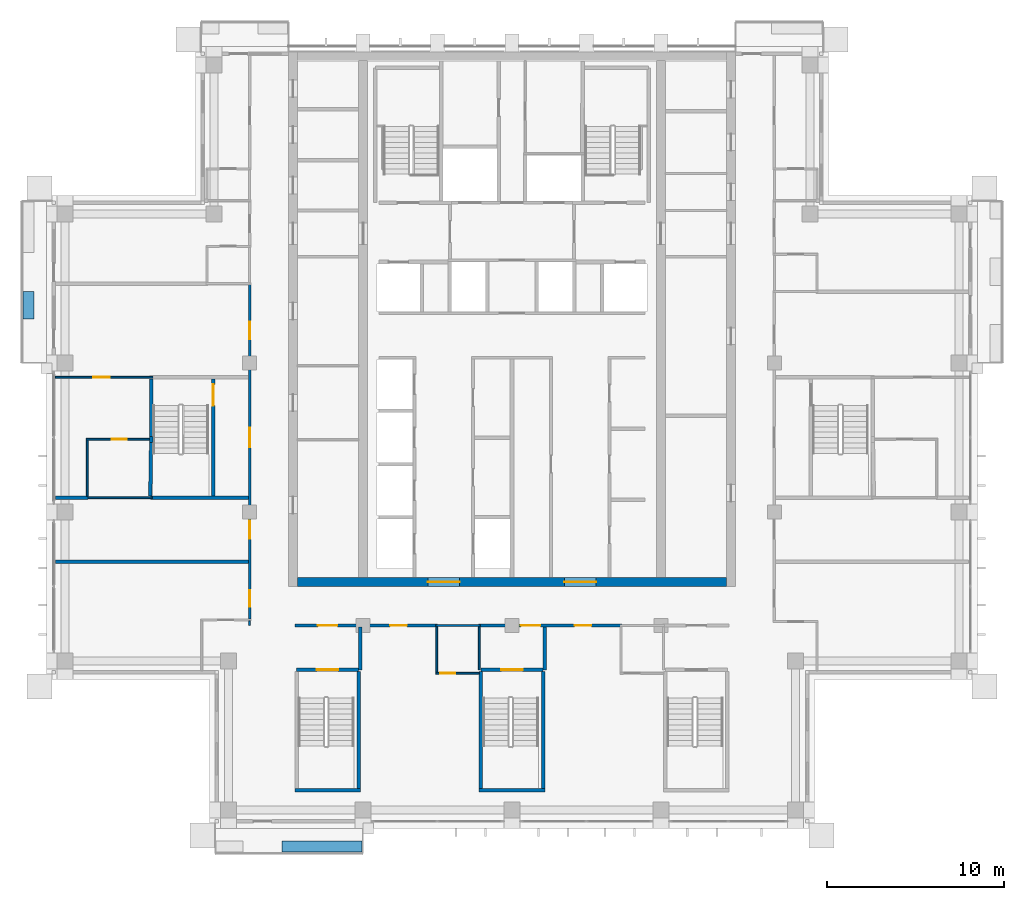
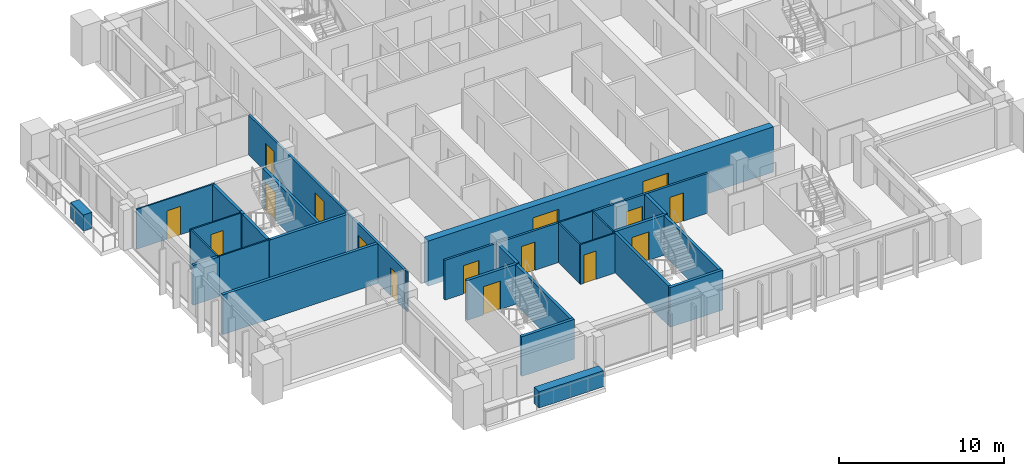
# One storey, part 8 of 18: 31 walls, 16 doors, 16 openings.
"""IFC4 building model written with IfcOpenShell, lengths in metres."""

from ifc_helpers import new_model, si_unit, direction, frame, frame_2d, origin, place, context, subcontext, project, spatial, rectangle, extrude, material, layer, layer_set, type_object, element, fill, save


model = new_model("IFC4")

# Units and contexts
model_context = context("Model", 3, precision=1e-05, world=origin(), true_north=direction((0.0, 1.0)))
body_context = subcontext(model_context, "Body", "Model", "MODEL_VIEW")
ifc_project = project(units=[si_unit("LENGTHUNIT", "METRE"), si_unit("AREAUNIT", "SQUARE_METRE"), si_unit("VOLUMEUNIT", "CUBIC_METRE"), si_unit("PLANEANGLEUNIT", "RADIAN"), si_unit("MASSUNIT", "GRAM", prefix="KILO")], contexts=[model_context])

# Site, building, storey
site_placement = place(None, origin())
site = spatial("IfcSite", under=ifc_project, at=site_placement, CompositionType="ELEMENT")
building_placement = place(site_placement, origin())
building = spatial("IfcBuilding", under=site, at=building_placement, Name="Vermilion Ogive Tower", CompositionType="ELEMENT")
storey_placement = place(building_placement, frame((0.0, 0.0, 261.39990234375)))
storey = spatial("IfcBuildingStorey", under=building, at=storey_placement, Name="L69", CompositionType="ELEMENT", Elevation=261.39990234375)

# Wall, openings, doors
ifc_material_1 = material(Name="Concrete B60", Category="concrete")
ifc_layer_1 = layer(ifc_material_1, 0.5)
ifc_layer_set_1 = layer_set([ifc_layer_1], Name="Core wall 500 B60")
wall_type_1 = type_object("IfcWallType", Name="Core wall 500 B60", PredefinedType="SHEAR", material=ifc_layer_set_1)
wall_1_placement = place(storey_placement, frame((-12.10009765625, -8.14990234375, -0.39990234375), z_axis=(0.0, 0.0, 1.0), x_axis=(1.0, 0.0, 0.0)))
wall_1 = element("IfcWall", 1, at=wall_1_placement, inside=storey, type_object=wall_type_1, Name="L69-CORE-S", PredefinedType="SHEAR", context=body_context, shape_type="SweptSolid", body=[
    extrude(rectangle(XDim=24.2001953125, YDim=0.5, at=frame_2d((12.10009765625, 0.0))), origin(), (0.0, 0.0, 1.0), 3.35009765625),
])
opening_1_placement = place(wall_1_placement, frame((7.35009765625, 0.0, 0.39990234375)))
opening_1 = element("IfcOpeningElement", 2, at=opening_1_placement, cuts=wall_1, Name="Opening DAH057", PredefinedType="OPENING", context=body_context, shape_type="SweptSolid", body=[
    extrude(rectangle(XDim=1.800048828125, YDim=2.10009765625, at=frame_2d((0.89990234375, 1.050048828125))), frame((0.0, 0.260009765625, 0.0), z_axis=(0.0, -1.0, 0.0), x_axis=(1.0, 0.0, 0.0)), (0.0, 0.0, 1.0), 0.52001953125),
])
opening_2_placement = place(wall_1_placement, frame((15.050048828125, 0.0, 0.39990234375)))
opening_2 = element("IfcOpeningElement", 3, at=opening_2_placement, cuts=wall_1, Name="Opening DAH058", PredefinedType="OPENING", context=body_context, shape_type="SweptSolid", body=[
    extrude(rectangle(XDim=1.800048828125, YDim=2.10009765625, at=frame_2d((0.89990234375, 1.050048828125))), frame((0.0, 0.260009765625, 0.0), z_axis=(0.0, -1.0, 0.0), x_axis=(1.0, 0.0, 0.0)), (0.0, 0.0, 1.0), 0.52001953125),
])
ifc_material_2 = material(Name="Timber door leaf", Category="wood")
door_type_1 = type_object("IfcDoorType", Name="Core entry door 1800 x 2100 FD60S", OperationType="DOUBLE_DOOR_SINGLE_SWING", PredefinedType="DOOR", material=ifc_material_2)
door_1_placement = place(opening_1_placement, origin())
door_1 = element("IfcDoor", 4, at=door_1_placement, inside=storey, type_object=door_type_1, Name="L69-CK-XD1", OperationType="SINGLE_SWING_LEFT", OverallHeight=2.10009765625, OverallWidth=1.800048828125, PredefinedType="DOOR", context=body_context, shape_type="SweptSolid", body=[
    extrude(rectangle(XDim=1.800048828125, YDim=2.10009765625, at=frame_2d((0.89990234375, 1.050048828125))), frame((0.0, 0.02490234375, 0.0), z_axis=(0.0, -1.0, 0.0), x_axis=(1.0, 0.0, 0.0)), (0.0, 0.0, 1.0), 0.050048828125),
])
fill(opening_1, door_1)
door_2_placement = place(opening_2_placement, origin())
door_2 = element("IfcDoor", 5, at=door_2_placement, inside=storey, type_object=door_type_1, Name="L69-CK-XD2", OperationType="SINGLE_SWING_LEFT", OverallHeight=2.10009765625, OverallWidth=1.800048828125, PredefinedType="DOOR", context=body_context, shape_type="SweptSolid", body=[
    extrude(rectangle(XDim=1.800048828125, YDim=2.10009765625, at=frame_2d((0.89990234375, 1.050048828125))), frame((0.0, 0.02490234375, 0.0), z_axis=(0.0, -1.0, 0.0), x_axis=(1.0, 0.0, 0.0)), (0.0, 0.0, 1.0), 0.050048828125),
])
fill(opening_2, door_2)

# Wall, opening, door
ifc_material_3 = material(Name="Gypsum board partition on steel studs", Category="steel")
ifc_layer_2 = layer(ifc_material_3, 0.10009765625)
ifc_layer_set_2 = layer_set([ifc_layer_2], Name="Partition 100 bath")
wall_type_2 = type_object("IfcWallType", Name="Partition 100 bath", PredefinedType="PARTITIONING", material=ifc_layer_set_2)
wall_2_placement = place(storey_placement, frame((-4.300048828125, -13.300048828125, 0.0), z_axis=(0.0, 0.0, 1.0), x_axis=(1.0, 0.0, 0.0)))
wall_2 = element("IfcWall", 6, at=wall_2_placement, inside=storey, type_object=wall_type_2, Name="L69-W-W001", PredefinedType="PARTITIONING", context=body_context, shape_type="SweptSolid", body=[
    extrude(rectangle(XDim=2.449951171875, YDim=0.10009765625, at=frame_2d((1.22509765625, 0.0))), origin(), (0.0, 0.0, 1.0), 2.9501953125),
])
opening_3_placement = place(wall_2_placement, frame((0.25, 0.0, 0.0)))
opening_3 = element("IfcOpeningElement", 7, at=opening_3_placement, cuts=wall_2, Name="Opening D5G6011", PredefinedType="OPENING", context=body_context, shape_type="SweptSolid", body=[
    extrude(rectangle(XDim=0.85009765625, YDim=2.10009765625, at=frame_2d((0.425048828125, 1.050048828125))), frame((0.0, 0.06005859375, 0.0), z_axis=(0.0, -1.0, 0.0), x_axis=(1.0, 0.0, 0.0)), (0.0, 0.0, 1.0), 0.1201171875),
])
ifc_material_4 = material(Name="Timber door leaf", Category="wood")
door_type_2 = type_object("IfcDoorType", Name="Bath door 850 x 2100 FD30", OperationType="SINGLE_SWING_LEFT", PredefinedType="DOOR", material=ifc_material_4)
door_3_placement = place(opening_3_placement, origin())
door_3 = element("IfcDoor", 8, at=door_3_placement, inside=storey, type_object=door_type_2, Name="L69-D-D011", OperationType="SINGLE_SWING_LEFT", OverallHeight=2.10009765625, OverallWidth=0.85009765625, PredefinedType="DOOR", context=body_context, shape_type="SweptSolid", body=[
    extrude(rectangle(XDim=0.85009765625, YDim=2.10009765625, at=frame_2d((0.425048828125, 1.050048828125))), frame((0.0, 0.02490234375, 0.0), z_axis=(0.0, -1.0, 0.0), x_axis=(1.0, 0.0, 0.0)), (0.0, 0.0, 1.0), 0.050048828125),
])
fill(opening_3, door_3)

# Walls
wall_3_placement = place(storey_placement, frame((-4.300048828125, -10.60009765625, 0.0), z_axis=(0.0, 0.0, 1.0), x_axis=(1.0, 0.0, 0.0)))
element("IfcWall", 9, at=wall_3_placement, inside=storey, type_object=wall_type_2, Name="L69-W-W007", PredefinedType="PARTITIONING", context=body_context, shape_type="SweptSolid", body=[
    extrude(rectangle(XDim=2.5, YDim=0.10009765625, at=frame_2d((1.25, 0.0))), origin(), (0.0, 0.0, 1.0), 2.9501953125),
])
wall_4_placement = place(storey_placement, frame((-24.0, -3.39990234375, 0.0), z_axis=(0.0, 0.0, 1.0), x_axis=(1.0, 0.0, 0.0)))
element("IfcWall", 10, at=wall_4_placement, inside=storey, type_object=wall_type_2, Name="L69-W-W016", PredefinedType="PARTITIONING", context=body_context, shape_type="SweptSolid", body=[
    extrude(rectangle(XDim=3.699951171875, YDim=0.10009765625, at=frame_2d((1.85009765625, 0.0))), origin(), (0.0, 0.0, 1.0), 2.9501953125),
])

# Wall, opening, door
wall_5_placement = place(storey_placement, frame((-24.0, -0.10009765625, 0.0), z_axis=(0.0, 0.0, 1.0), x_axis=(1.0, 0.0, 0.0)))
wall_5 = element("IfcWall", 11, at=wall_5_placement, inside=storey, type_object=wall_type_2, Name="L69-W-W021", PredefinedType="PARTITIONING", context=body_context, shape_type="SweptSolid", body=[
    extrude(rectangle(XDim=3.550048828125, YDim=0.10009765625, at=frame_2d((1.77490234375, 0.0))), origin(), (0.0, 0.0, 1.0), 2.9501953125),
])
opening_4_placement = place(wall_5_placement, frame((1.425048828125, 0.0, 0.0)))
opening_4 = element("IfcOpeningElement", 12, at=opening_4_placement, cuts=wall_5, Name="Opening D5G6005", PredefinedType="OPENING", context=body_context, shape_type="SweptSolid", body=[
    extrude(rectangle(XDim=0.85009765625, YDim=2.10009765625, at=frame_2d((0.425048828125, 1.050048828125))), frame((0.0, 0.06005859375, 0.0), z_axis=(0.0, -1.0, 0.0), x_axis=(1.0, 0.0, 0.0)), (0.0, 0.0, 1.0), 0.1201171875),
])
door_4_placement = place(opening_4_placement, origin())
door_4 = element("IfcDoor", 13, at=door_4_placement, inside=storey, type_object=door_type_2, Name="L69-D-D005", OperationType="SINGLE_SWING_RIGHT", OverallHeight=2.10009765625, OverallWidth=0.85009765625, PredefinedType="DOOR", context=body_context, shape_type="SweptSolid", body=[
    extrude(rectangle(XDim=0.85009765625, YDim=2.10009765625, at=frame_2d((0.425048828125, 1.050048828125))), frame((0.0, 0.02490234375, 0.0), z_axis=(0.0, -1.0, 0.0), x_axis=(1.0, 0.0, 0.0)), (0.0, 0.0, 1.0), 0.050048828125),
])
fill(opening_4, door_4)

# Walls
wall_6_placement = place(storey_placement, frame((-23.949951171875, -3.300048828125, 0.0), z_axis=(0.0, 0.0, 1.0), x_axis=(0.0, 1.0, 0.0)))
element("IfcWall", 14, at=wall_6_placement, inside=storey, type_object=wall_type_2, Name="L69-W-W039", PredefinedType="PARTITIONING", context=body_context, shape_type="SweptSolid", body=[
    extrude(rectangle(XDim=3.150146484375, YDim=0.10009765625, at=frame_2d((1.5751953125, 0.0))), origin(), (0.0, 0.0, 1.0), 2.9501953125),
])
wall_7_placement = place(storey_placement, frame((-14.800048828125, -10.60009765625, 0.0), z_axis=(0.0, 0.0, 1.0), x_axis=(0.0, 1.0, 0.0)))
element("IfcWall", 15, at=wall_7_placement, inside=storey, type_object=wall_type_2, Name="L69-W-W046", PredefinedType="PARTITIONING", context=body_context, shape_type="SweptSolid", body=[
    extrude(rectangle(XDim=0.260009765625, YDim=0.10009765625, at=frame_2d((0.1298828125, 0.0))), origin(), (0.0, 0.0, 1.0), 2.9501953125),
])
wall_8_placement = place(storey_placement, frame((-4.25, -13.25, 0.0), z_axis=(0.0, 0.0, 1.0), x_axis=(0.0, 1.0, 0.0)))
element("IfcWall", 16, at=wall_8_placement, inside=storey, type_object=wall_type_2, Name="L69-W-W053", PredefinedType="PARTITIONING", context=body_context, shape_type="SweptSolid", body=[
    extrude(rectangle(XDim=2.574951171875, YDim=0.10009765625, at=frame_2d((1.28759765625, 0.0))), origin(), (0.0, 0.0, 1.0), 2.9501953125),
])
wall_9_placement = place(storey_placement, frame((-1.85009765625, -13.10009765625, 0.0), z_axis=(0.0, 0.0, 1.0), x_axis=(0.0, 1.0, 0.0)))
element("IfcWall", 17, at=wall_9_placement, inside=storey, type_object=wall_type_2, Name="L69-W-W054", PredefinedType="PARTITIONING", context=body_context, shape_type="SweptSolid", body=[
    extrude(rectangle(XDim=2.425048828125, YDim=0.10009765625, at=frame_2d((1.21240234375, 0.0))), origin(), (0.0, 0.0, 1.0), 2.9501953125),
])

# Wall, opening, door
ifc_material_5 = material(Name="Gypsum board partition on steel studs", Category="steel")
ifc_layer_3 = layer(ifc_material_5, 0.10009765625)
ifc_layer_set_3 = layer_set([ifc_layer_3], Name="Partition 100 inner")
wall_type_3 = type_object("IfcWallType", Name="Partition 100 inner", PredefinedType="PARTITIONING", material=ifc_layer_set_3)
wall_10_placement = place(storey_placement, frame((-25.75, 3.39990234375, 0.0), z_axis=(0.0, 0.0, 1.0), x_axis=(1.0, 0.0, 0.0)))
wall_10 = element("IfcWall", 18, at=wall_10_placement, inside=storey, type_object=wall_type_3, Name="L69-W-W023", PredefinedType="PARTITIONING", context=body_context, shape_type="SweptSolid", body=[
    extrude(rectangle(XDim=5.5, YDim=0.10009765625, at=frame_2d((2.75, 0.0))), origin(), (0.0, 0.0, 1.0), 2.9501953125),
])
opening_5_placement = place(wall_10_placement, frame((2.125, 0.0, 0.0)))
opening_5 = element("IfcOpeningElement", 19, at=opening_5_placement, cuts=wall_10, Name="Opening D5G6004", PredefinedType="OPENING", context=body_context, shape_type="SweptSolid", body=[
    extrude(rectangle(XDim=0.949951171875, YDim=2.10009765625, at=frame_2d((0.47509765625, 1.050048828125))), frame((0.0, 0.06005859375, 0.0), z_axis=(0.0, -1.0, 0.0), x_axis=(1.0, 0.0, 0.0)), (0.0, 0.0, 1.0), 0.1201171875),
])
ifc_material_6 = material(Name="Timber door leaf", Category="wood")
door_type_3 = type_object("IfcDoorType", Name="Inner door 950 x 2100 FD30", OperationType="SINGLE_SWING_LEFT", PredefinedType="DOOR", material=ifc_material_6)
door_5_placement = place(opening_5_placement, origin())
door_5 = element("IfcDoor", 20, at=door_5_placement, inside=storey, type_object=door_type_3, Name="L69-D-D004", OperationType="SINGLE_SWING_LEFT", OverallHeight=2.10009765625, OverallWidth=0.949951171875, PredefinedType="DOOR", context=body_context, shape_type="SweptSolid", body=[
    extrude(rectangle(XDim=0.949951171875, YDim=2.10009765625, at=frame_2d((0.47509765625, 1.050048828125))), frame((0.0, 0.02490234375, 0.0), z_axis=(0.0, -1.0, 0.0), x_axis=(1.0, 0.0, 0.0)), (0.0, 0.0, 1.0), 0.050048828125),
])
fill(opening_5, door_5)

# Wall, openings, doors
ifc_material_7 = material(Name="Gypsum board partition on steel studs", Category="steel")
ifc_layer_4 = layer(ifc_material_7, 0.14990234375)
ifc_layer_set_4 = layer_set([ifc_layer_4], Name="Partition 150 corridor")
wall_type_4 = type_object("IfcWallType", Name="Partition 150 corridor", PredefinedType="PARTITIONING", material=ifc_layer_set_4)
wall_11_placement = place(storey_placement, frame((-12.25, -10.60009765625, 0.0), z_axis=(0.0, 0.0, 1.0), x_axis=(1.0, 0.0, 0.0)))
wall_11 = element("IfcWall", 21, at=wall_11_placement, inside=storey, type_object=wall_type_4, Name="L69-W-W006", PredefinedType="PARTITIONING", context=body_context, shape_type="SweptSolid", body=[
    extrude(rectangle(XDim=8.050048828125, YDim=0.14990234375, at=frame_2d((4.02490234375, 0.0))), origin(), (0.0, 0.0, 1.0), 2.9501953125),
])
opening_6_placement = place(wall_11_placement, frame((5.375, 0.0, 0.0)))
opening_6 = element("IfcOpeningElement", 22, at=opening_6_placement, cuts=wall_11, Name="Opening D5G6010", PredefinedType="OPENING", context=body_context, shape_type="SweptSolid", body=[
    extrude(rectangle(XDim=0.949951171875, YDim=2.10009765625, at=frame_2d((0.47509765625, 1.050048828125))), frame((0.0, 0.0849609375, 0.0), z_axis=(0.0, -1.0, 0.0), x_axis=(1.0, 0.0, 0.0)), (0.0, 0.0, 1.0), 0.169921875),
])
opening_7_placement = place(wall_11_placement, frame((1.300048828125, 0.0, 0.0)))
opening_7 = element("IfcOpeningElement", 23, at=opening_7_placement, cuts=wall_11, Name="Opening D5G6023", PredefinedType="OPENING", context=body_context, shape_type="SweptSolid", body=[
    extrude(rectangle(XDim=1.10009765625, YDim=2.10009765625, at=frame_2d((0.550048828125, 1.050048828125))), frame((0.0, 0.0849609375, 0.0), z_axis=(0.0, -1.0, 0.0), x_axis=(1.0, 0.0, 0.0)), (0.0, 0.0, 1.0), 0.169921875),
])
ifc_material_8 = material(Name="Timber door leaf", Category="wood")
door_type_4 = type_object("IfcDoorType", Name="Stair door 1100 x 2100 FD60S", OperationType="SINGLE_SWING_LEFT", PredefinedType="DOOR", material=ifc_material_8)
door_6_placement = place(opening_7_placement, origin())
door_6 = element("IfcDoor", 24, at=door_6_placement, inside=storey, type_object=door_type_4, Name="L69-D-D023", OperationType="SINGLE_SWING_RIGHT", OverallHeight=2.10009765625, OverallWidth=1.10009765625, PredefinedType="DOOR", context=body_context, shape_type="SweptSolid", body=[
    extrude(rectangle(XDim=1.10009765625, YDim=2.10009765625, at=frame_2d((0.550048828125, 1.050048828125))), frame((0.0, 0.02490234375, 0.0), z_axis=(0.0, -1.0, 0.0), x_axis=(1.0, 0.0, 0.0)), (0.0, 0.0, 1.0), 0.050048828125),
])
fill(opening_7, door_6)
ifc_material_9 = material(Name="Timber door leaf", Category="wood")
door_type_5 = type_object("IfcDoorType", Name="Unit door 950 x 2100 FD30S", OperationType="SINGLE_SWING_LEFT", PredefinedType="DOOR", material=ifc_material_9)
door_7_placement = place(opening_6_placement, origin())
door_7 = element("IfcDoor", 25, at=door_7_placement, inside=storey, type_object=door_type_5, Name="L69-D-D010", OperationType="SINGLE_SWING_LEFT", OverallHeight=2.10009765625, OverallWidth=0.949951171875, PredefinedType="DOOR", context=body_context, shape_type="SweptSolid", body=[
    extrude(rectangle(XDim=0.949951171875, YDim=2.10009765625, at=frame_2d((0.47509765625, 1.050048828125))), frame((0.0, 0.02490234375, 0.0), z_axis=(0.0, -1.0, 0.0), x_axis=(1.0, 0.0, 0.0)), (0.0, 0.0, 1.0), 0.050048828125),
])
fill(opening_6, door_7)

wall_12_placement = place(storey_placement, frame((-1.89990234375, -10.60009765625, 0.0), z_axis=(0.0, 0.0, 1.0), x_axis=(1.0, 0.0, 0.0)))
wall_12 = element("IfcWall", 26, at=wall_12_placement, inside=storey, type_object=wall_type_4, Name="L69-W-W008", PredefinedType="PARTITIONING", context=body_context, shape_type="SweptSolid", body=[
    extrude(rectangle(XDim=8.099853515625, YDim=0.14990234375, at=frame_2d((4.0498046875, 0.0))), origin(), (0.0, 0.0, 1.0), 2.9501953125),
])
opening_8_placement = place(wall_12_placement, frame((5.4248046875, 0.0, 0.0)))
opening_8 = element("IfcOpeningElement", 27, at=opening_8_placement, cuts=wall_12, Name="Opening D5G6012", PredefinedType="OPENING", context=body_context, shape_type="SweptSolid", body=[
    extrude(rectangle(XDim=0.949951171875, YDim=2.10009765625, at=frame_2d((0.47509765625, 1.050048828125))), frame((0.0, 0.0849609375, 0.0), z_axis=(0.0, -1.0, 0.0), x_axis=(1.0, 0.0, 0.0)), (0.0, 0.0, 1.0), 0.169921875),
])
opening_9_placement = place(wall_12_placement, frame((2.39990234375, 0.0, 0.0)))
opening_9 = element("IfcOpeningElement", 28, at=opening_9_placement, cuts=wall_12, Name="Opening D5G6025", PredefinedType="OPENING", context=body_context, shape_type="SweptSolid", body=[
    extrude(rectangle(XDim=1.10009765625, YDim=2.10009765625, at=frame_2d((0.550048828125, 1.050048828125))), frame((0.0, 0.0849609375, 0.0), z_axis=(0.0, -1.0, 0.0), x_axis=(1.0, 0.0, 0.0)), (0.0, 0.0, 1.0), 0.169921875),
])
door_8_placement = place(opening_9_placement, origin())
door_8 = element("IfcDoor", 29, at=door_8_placement, inside=storey, type_object=door_type_4, Name="L69-D-D025", OperationType="SINGLE_SWING_LEFT", OverallHeight=2.10009765625, OverallWidth=1.10009765625, PredefinedType="DOOR", context=body_context, shape_type="SweptSolid", body=[
    extrude(rectangle(XDim=1.10009765625, YDim=2.10009765625, at=frame_2d((0.550048828125, 1.050048828125))), frame((0.0, 0.02490234375, 0.0), z_axis=(0.0, -1.0, 0.0), x_axis=(1.0, 0.0, 0.0)), (0.0, 0.0, 1.0), 0.050048828125),
])
fill(opening_9, door_8)
door_9_placement = place(opening_8_placement, origin())
door_9 = element("IfcDoor", 30, at=door_9_placement, inside=storey, type_object=door_type_5, Name="L69-D-D012", OperationType="SINGLE_SWING_LEFT", OverallHeight=2.10009765625, OverallWidth=0.949951171875, PredefinedType="DOOR", context=body_context, shape_type="SweptSolid", body=[
    extrude(rectangle(XDim=0.949951171875, YDim=2.10009765625, at=frame_2d((0.47509765625, 1.050048828125))), frame((0.0, 0.02490234375, 0.0), z_axis=(0.0, -1.0, 0.0), x_axis=(1.0, 0.0, 0.0)), (0.0, 0.0, 1.0), 0.050048828125),
])
fill(opening_8, door_9)

wall_13_placement = place(storey_placement, frame((-14.800048828125, -10.239990234375, 0.0), z_axis=(0.0, 0.0, 1.0), x_axis=(0.0, 1.0, 0.0)))
wall_13 = element("IfcWall", 31, at=wall_13_placement, inside=storey, type_object=wall_type_4, Name="L69-W-W047", PredefinedType="PARTITIONING", context=body_context, shape_type="SweptSolid", body=[
    extrude(rectangle(XDim=18.869873046875, YDim=0.14990234375, at=frame_2d((9.43505859375, 0.0))), origin(), (0.0, 0.0, 1.0), 2.9501953125),
])
opening_10_placement = place(wall_13_placement, frame((0.68994140625, 0.0, 0.0)))
opening_10 = element("IfcOpeningElement", 32, at=opening_10_placement, cuts=wall_13, Name="Opening D5G6001", PredefinedType="OPENING", context=body_context, shape_type="SweptSolid", body=[
    extrude(rectangle(XDim=0.949951171875, YDim=2.10009765625, at=frame_2d((0.47509765625, 1.050048828125))), frame((0.0, 0.0849609375, 0.0), z_axis=(0.0, -1.0, 0.0), x_axis=(1.0, 0.0, 0.0)), (0.0, 0.0, 1.0), 0.169921875),
])
opening_11_placement = place(wall_13_placement, frame((15.780029296875, 0.0, 0.0)))
opening_11 = element("IfcOpeningElement", 33, at=opening_11_placement, cuts=wall_13, Name="Opening D5G6003", PredefinedType="OPENING", context=body_context, shape_type="SweptSolid", body=[
    extrude(rectangle(XDim=1.0, YDim=2.10009765625, at=frame_2d((0.5, 1.050048828125))), frame((0.0, 0.0849609375, 0.0), z_axis=(0.0, -1.0, 0.0), x_axis=(1.0, 0.0, 0.0)), (0.0, 0.0, 1.0), 0.169921875),
])
opening_12_placement = place(wall_13_placement, frame((9.68994140625, 0.0, 0.0)))
opening_12 = element("IfcOpeningElement", 34, at=opening_12_placement, cuts=wall_13, Name="Opening D5G6031", PredefinedType="OPENING", context=body_context, shape_type="SweptSolid", body=[
    extrude(rectangle(XDim=1.10009765625, YDim=2.10009765625, at=frame_2d((0.550048828125, 1.050048828125))), frame((0.0, 0.0849609375, 0.0), z_axis=(0.0, -1.0, 0.0), x_axis=(1.0, 0.0, 0.0)), (0.0, 0.0, 1.0), 0.169921875),
])
opening_13_placement = place(wall_13_placement, frame((4.5400390625, 0.0, 0.0)))
opening_13 = element("IfcOpeningElement", 35, at=opening_13_placement, cuts=wall_13, Name="Opening D5G6033", PredefinedType="OPENING", context=body_context, shape_type="SweptSolid", body=[
    extrude(rectangle(XDim=1.0, YDim=2.10009765625, at=frame_2d((0.5, 1.050048828125))), frame((0.0, 0.0849609375, 0.0), z_axis=(0.0, -1.0, 0.0), x_axis=(1.0, 0.0, 0.0)), (0.0, 0.0, 1.0), 0.169921875),
])
door_10_placement = place(opening_12_placement, origin())
door_10 = element("IfcDoor", 36, at=door_10_placement, inside=storey, type_object=door_type_4, Name="L69-D-D031", OperationType="SINGLE_SWING_RIGHT", OverallHeight=2.10009765625, OverallWidth=1.10009765625, PredefinedType="DOOR", context=body_context, shape_type="SweptSolid", body=[
    extrude(rectangle(XDim=1.10009765625, YDim=2.10009765625, at=frame_2d((0.550048828125, 1.050048828125))), frame((0.0, 0.02490234375, 0.0), z_axis=(0.0, -1.0, 0.0), x_axis=(1.0, 0.0, 0.0)), (0.0, 0.0, 1.0), 0.050048828125),
])
fill(opening_12, door_10)
ifc_material_10 = material(Name="Timber door leaf", Category="wood")
door_type_6 = type_object("IfcDoorType", Name="Unit door 1000 x 2100 FD30S", OperationType="SINGLE_SWING_LEFT", PredefinedType="DOOR", material=ifc_material_10)
door_11_placement = place(opening_11_placement, origin())
door_11 = element("IfcDoor", 37, at=door_11_placement, inside=storey, type_object=door_type_6, Name="L69-D-D003", OperationType="SINGLE_SWING_RIGHT", OverallHeight=2.10009765625, OverallWidth=1.0, PredefinedType="DOOR", context=body_context, shape_type="SweptSolid", body=[
    extrude(rectangle(XDim=1.0, YDim=2.10009765625, at=frame_2d((0.5, 1.050048828125))), frame((0.0, 0.02490234375, 0.0), z_axis=(0.0, -1.0, 0.0), x_axis=(1.0, 0.0, 0.0)), (0.0, 0.0, 1.0), 0.050048828125),
])
fill(opening_11, door_11)
door_12_placement = place(opening_13_placement, origin())
door_12 = element("IfcDoor", 38, at=door_12_placement, inside=storey, type_object=door_type_6, Name="L69-D-D033", OperationType="SINGLE_SWING_LEFT", OverallHeight=2.10009765625, OverallWidth=1.0, PredefinedType="DOOR", context=body_context, shape_type="SweptSolid", body=[
    extrude(rectangle(XDim=1.0, YDim=2.10009765625, at=frame_2d((0.5, 1.050048828125))), frame((0.0, 0.02490234375, 0.0), z_axis=(0.0, -1.0, 0.0), x_axis=(1.0, 0.0, 0.0)), (0.0, 0.0, 1.0), 0.050048828125),
])
fill(opening_13, door_12)
door_13_placement = place(opening_10_placement, origin())
door_13 = element("IfcDoor", 39, at=door_13_placement, inside=storey, type_object=door_type_5, Name="L69-D-D001", OperationType="SINGLE_SWING_LEFT", OverallHeight=2.10009765625, OverallWidth=0.949951171875, PredefinedType="DOOR", context=body_context, shape_type="SweptSolid", body=[
    extrude(rectangle(XDim=0.949951171875, YDim=2.10009765625, at=frame_2d((0.47509765625, 1.050048828125))), frame((0.0, 0.02490234375, 0.0), z_axis=(0.0, -1.0, 0.0), x_axis=(1.0, 0.0, 0.0)), (0.0, 0.0, 1.0), 0.050048828125),
])
fill(opening_10, door_13)

# Walls
ifc_material_11 = material(Name="Gypsum board partition on steel studs", Category="steel")
ifc_layer_5 = layer(ifc_material_11, 0.199951171875)
ifc_layer_set_5 = layer_set([ifc_layer_5], Name="Partition 200 party")
wall_type_5 = type_object("IfcWallType", Name="Partition 200 party", PredefinedType="PARTITIONING", material=ifc_layer_set_5)
wall_14_placement = place(storey_placement, frame((-25.75, -7.0, 0.0), z_axis=(0.0, 0.0, 1.0), x_axis=(1.0, 0.0, 0.0)))
element("IfcWall", 40, at=wall_14_placement, inside=storey, type_object=wall_type_5, Name="L69-W-W013", PredefinedType="PARTITIONING", context=body_context, shape_type="SweptSolid", body=[
    extrude(rectangle(XDim=10.875, YDim=0.199951171875, at=frame_2d((5.4375, 0.0))), origin(), (0.0, 0.0, 1.0), 2.9501953125),
])
wall_15_placement = place(storey_placement, frame((-25.75, -3.39990234375, 0.0), z_axis=(0.0, 0.0, 1.0), x_axis=(1.0, 0.0, 0.0)))
element("IfcWall", 41, at=wall_15_placement, inside=storey, type_object=wall_type_5, Name="L69-W-W015", PredefinedType="PARTITIONING", context=body_context, shape_type="SweptSolid", body=[
    extrude(rectangle(XDim=1.85009765625, YDim=0.199951171875, at=frame_2d((0.925048828125, 0.0))), origin(), (0.0, 0.0, 1.0), 2.9501953125),
])
for number, where, z_axis, x_axis, name in (
    (42, (-8.550048828125, -13.10009765625, 0.0), (0.0, 0.0, 1.0), (0.0, 1.0, 0.0), "L69-W-W052"),
    (43, (1.85009765625, -13.10009765625, 0.0), (0.0, 0.0, 1.0), (0.0, 1.0, 0.0), "L69-W-W055"),
):
    element("IfcWall", number, at=place(storey_placement, frame(where, z_axis=z_axis, x_axis=x_axis)), inside=storey, type_object=wall_type_5, Name=name, PredefinedType="PARTITIONING", context=body_context, shape_type="SweptSolid", body=[
        extrude(rectangle(XDim=2.425048828125, YDim=0.199951171875, at=frame_2d((1.21240234375, 0.0))), origin(), (0.0, 0.0, 1.0), 2.9501953125),
    ])

# Wall, opening, door
ifc_material_12 = material(Name="Concrete B60", Category="concrete")
ifc_layer_6 = layer(ifc_material_12, 0.199951171875)
ifc_layer_set_6 = layer_set([ifc_layer_6], Name="Stair shaft wall 200 Concrete B60")
wall_type_6 = type_object("IfcWallType", Name="Stair shaft wall 200 Concrete B60", PredefinedType="SOLIDWALL", material=ifc_layer_set_6)
wall_16_placement = place(storey_placement, frame((-12.14990234375, -13.10009765625, 0.0), z_axis=(0.0, 0.0, 1.0), x_axis=(1.0, 0.0, 0.0)))
wall_16 = element("IfcWall", 44, at=wall_16_placement, inside=storey, type_object=wall_type_6, Name="L69-W-W003", PredefinedType="SOLIDWALL", context=body_context, shape_type="SweptSolid", body=[
    extrude(rectangle(XDim=3.5, YDim=0.199951171875, at=frame_2d((1.75, 0.0))), origin(), (0.0, 0.0, 1.0), 2.9501953125),
])
opening_14_placement = place(wall_16_placement, frame((1.14990234375, 0.0, 0.0)))
opening_14 = element("IfcOpeningElement", 45, at=opening_14_placement, cuts=wall_16, Name="Opening D5G6024", PredefinedType="OPENING", context=body_context, shape_type="SweptSolid", body=[
    extrude(rectangle(XDim=1.199951171875, YDim=2.10009765625, at=frame_2d((0.60009765625, 1.050048828125))), frame((0.0, 0.10986328125, 0.0), z_axis=(0.0, -1.0, 0.0), x_axis=(1.0, 0.0, 0.0)), (0.0, 0.0, 1.0), 0.219970703125),
])
ifc_material_13 = material(Name="Timber door leaf", Category="wood")
door_type_7 = type_object("IfcDoorType", Name="Stair door 1200 x 2100 FD60S", OperationType="SINGLE_SWING_LEFT", PredefinedType="DOOR", material=ifc_material_13)
door_14_placement = place(opening_14_placement, origin())
door_14 = element("IfcDoor", 46, at=door_14_placement, inside=storey, type_object=door_type_7, Name="L69-D-D024", OperationType="SINGLE_SWING_RIGHT", OverallHeight=2.10009765625, OverallWidth=1.199951171875, PredefinedType="DOOR", context=body_context, shape_type="SweptSolid", body=[
    extrude(rectangle(XDim=1.199951171875, YDim=2.10009765625, at=frame_2d((0.60009765625, 1.050048828125))), frame((0.0, 0.02490234375, 0.0), z_axis=(0.0, -1.0, 0.0), x_axis=(1.0, 0.0, 0.0)), (0.0, 0.0, 1.0), 0.050048828125),
])
fill(opening_14, door_14)

wall_17_placement = place(storey_placement, frame((-1.75, -13.10009765625, 0.0), z_axis=(0.0, 0.0, 1.0), x_axis=(1.0, 0.0, 0.0)))
wall_17 = element("IfcWall", 47, at=wall_17_placement, inside=storey, type_object=wall_type_6, Name="L69-W-W004", PredefinedType="SOLIDWALL", context=body_context, shape_type="SweptSolid", body=[
    extrude(rectangle(XDim=3.5, YDim=0.199951171875, at=frame_2d((1.75, 0.0))), origin(), (0.0, 0.0, 1.0), 2.9501953125),
])
opening_15_placement = place(wall_17_placement, frame((1.14990234375, 0.0, 0.0)))
opening_15 = element("IfcOpeningElement", 48, at=opening_15_placement, cuts=wall_17, Name="Opening D5G6026", PredefinedType="OPENING", context=body_context, shape_type="SweptSolid", body=[
    extrude(rectangle(XDim=1.199951171875, YDim=2.10009765625, at=frame_2d((0.60009765625, 1.050048828125))), frame((0.0, 0.10986328125, 0.0), z_axis=(0.0, -1.0, 0.0), x_axis=(1.0, 0.0, 0.0)), (0.0, 0.0, 1.0), 0.219970703125),
])
door_15_placement = place(opening_15_placement, origin())
door_15 = element("IfcDoor", 49, at=door_15_placement, inside=storey, type_object=door_type_7, Name="L69-D-D026", OperationType="SINGLE_SWING_RIGHT", OverallHeight=2.10009765625, OverallWidth=1.199951171875, PredefinedType="DOOR", context=body_context, shape_type="SweptSolid", body=[
    extrude(rectangle(XDim=1.199951171875, YDim=2.10009765625, at=frame_2d((0.60009765625, 1.050048828125))), frame((0.0, 0.02490234375, 0.0), z_axis=(0.0, -1.0, 0.0), x_axis=(1.0, 0.0, 0.0)), (0.0, 0.0, 1.0), 0.050048828125),
])
fill(opening_15, door_15)

# Walls
wall_18_placement = place(storey_placement, frame((-20.39990234375, -3.39990234375, 0.0), z_axis=(0.0, 0.0, 1.0), x_axis=(1.0, 0.0, 0.0)))
element("IfcWall", 50, at=wall_18_placement, inside=storey, type_object=wall_type_6, Name="L69-W-W017", PredefinedType="SOLIDWALL", context=body_context, shape_type="SweptSolid", body=[
    extrude(rectangle(XDim=5.52490234375, YDim=0.199951171875, at=frame_2d((2.762451171875, 0.0))), origin(), (0.0, 0.0, 1.0), 2.9501953125),
])
wall_19_placement = place(storey_placement, frame((-20.400146484375, -3.300048828125, 0.0), z_axis=(0.0, 0.0, 1.0), x_axis=(0.016112644959, 0.99987018291, 0.0)))
element("IfcWall", 51, at=wall_19_placement, inside=storey, type_object=wall_type_6, Name="L69-W-W040", PredefinedType="SOLIDWALL", context=body_context, shape_type="SweptSolid", body=[
    extrude(rectangle(XDim=3.030517578125, YDim=0.199951171875, at=frame_2d((1.51513671875, 0.0))), origin(), (0.0, 0.0, 1.0), 2.9501953125),
])
wall_20_placement = place(storey_placement, frame((-20.35009765625, 0.070068359375, 0.0), z_axis=(0.0, 0.0, 1.0), x_axis=(0.0, 1.0, 0.0)))
element("IfcWall", 52, at=wall_20_placement, inside=storey, type_object=wall_type_6, Name="L69-W-W041", PredefinedType="SOLIDWALL", context=body_context, shape_type="SweptSolid", body=[
    extrude(rectangle(XDim=3.22998046875, YDim=0.199951171875, at=frame_2d((1.614990234375, 0.0))), origin(), (0.0, 0.0, 1.0), 2.9501953125),
])

# Wall, opening, door
wall_21_placement = place(storey_placement, frame((-16.85009765625, -3.300048828125, 0.0), z_axis=(0.0, 0.0, 1.0), x_axis=(0.0, 1.0, 0.0)))
wall_21 = element("IfcWall", 53, at=wall_21_placement, inside=storey, type_object=wall_type_6, Name="L69-W-W045", PredefinedType="SOLIDWALL", context=body_context, shape_type="SweptSolid", body=[
    extrude(rectangle(XDim=6.60009765625, YDim=0.199951171875, at=frame_2d((3.300048828125, 0.0))), origin(), (0.0, 0.0, 1.0), 2.9501953125),
])
opening_16_placement = place(wall_21_placement, frame((5.10009765625, 0.0, 0.0)))
opening_16 = element("IfcOpeningElement", 54, at=opening_16_placement, cuts=wall_21, Name="Opening D5G6032", PredefinedType="OPENING", context=body_context, shape_type="SweptSolid", body=[
    extrude(rectangle(XDim=1.199951171875, YDim=2.10009765625, at=frame_2d((0.60009765625, 1.050048828125))), frame((0.0, 0.10986328125, 0.0), z_axis=(0.0, -1.0, 0.0), x_axis=(1.0, 0.0, 0.0)), (0.0, 0.0, 1.0), 0.219970703125),
])
door_16_placement = place(opening_16_placement, origin())
door_16 = element("IfcDoor", 55, at=door_16_placement, inside=storey, type_object=door_type_7, Name="L69-D-D032", OperationType="SINGLE_SWING_RIGHT", OverallHeight=2.10009765625, OverallWidth=1.199951171875, PredefinedType="DOOR", context=body_context, shape_type="SweptSolid", body=[
    extrude(rectangle(XDim=1.199951171875, YDim=2.10009765625, at=frame_2d((0.60009765625, 1.050048828125))), frame((0.0, 0.02490234375, 0.0), z_axis=(0.0, -1.0, 0.0), x_axis=(1.0, 0.0, 0.0)), (0.0, 0.0, 1.0), 0.050048828125),
])
fill(opening_16, door_16)

# Walls
wall_22_placement = place(storey_placement, frame((-12.25, -19.89990234375, 0.0), z_axis=(0.0, 0.0, 1.0), x_axis=(1.0, 0.0, 0.0)))
element("IfcWall", 56, at=wall_22_placement, inside=storey, type_object=wall_type_6, Name="L69-SW-ST3-S1", PredefinedType="SOLIDWALL", context=body_context, shape_type="SweptSolid", body=[
    extrude(rectangle(XDim=3.699951171875, YDim=0.199951171875, at=frame_2d((1.85009765625, 0.0))), origin(), (0.0, 0.0, 1.0), 2.9501953125),
])
wall_23_placement = place(storey_placement, frame((-8.64990234375, -19.800048828125, 0.0), z_axis=(0.0, 0.0, 1.0), x_axis=(0.0, 1.0, 0.0)))
element("IfcWall", 57, at=wall_23_placement, inside=storey, type_object=wall_type_6, Name="L69-SW-ST3-E1", PredefinedType="SOLIDWALL", context=body_context, shape_type="SweptSolid", body=[
    extrude(rectangle(XDim=6.60009765625, YDim=0.199951171875, at=frame_2d((3.300048828125, 0.0))), origin(), (0.0, 0.0, 1.0), 2.9501953125),
])
wall_24_placement = place(storey_placement, frame((-1.85009765625, -19.89990234375, 0.0), z_axis=(0.0, 0.0, 1.0), x_axis=(1.0, 0.0, 0.0)))
element("IfcWall", 58, at=wall_24_placement, inside=storey, type_object=wall_type_6, Name="L69-SW-ST4-S1", PredefinedType="SOLIDWALL", context=body_context, shape_type="SweptSolid", body=[
    extrude(rectangle(XDim=3.7001953125, YDim=0.199951171875, at=frame_2d((1.85009765625, 0.0))), origin(), (0.0, 0.0, 1.0), 2.9501953125),
])
for number, where, z_axis, x_axis, name in (
    (59, (-1.75, -19.800048828125, 0.0), (0.0, 0.0, 1.0), (0.0, 1.0, 0.0), "L69-SW-ST4-W1"),
    (60, (1.75, -19.800048828125, 0.0), (0.0, 0.0, 1.0), (0.0, 1.0, 0.0), "L69-SW-ST4-E1"),
):
    element("IfcWall", number, at=place(storey_placement, frame(where, z_axis=z_axis, x_axis=x_axis)), inside=storey, type_object=wall_type_6, Name=name, PredefinedType="SOLIDWALL", context=body_context, shape_type="SweptSolid", body=[
        extrude(rectangle(XDim=6.60009765625, YDim=0.199951171875, at=frame_2d((3.300048828125, 0.0))), origin(), (0.0, 0.0, 1.0), 2.9501953125),
    ])
wall_25_placement = place(storey_placement, frame((-20.35009765625, -0.27001953125, 0.0), z_axis=(0.0, 0.0, 1.0), x_axis=(0.0, 1.0, 0.0)))
element("IfcWall", 61, at=wall_25_placement, inside=storey, type_object=wall_type_6, Name="L69-SW-ST9-W1", PredefinedType="SOLIDWALL", context=body_context, shape_type="SweptSolid", body=[
    extrude(rectangle(XDim=0.340087890625, YDim=0.199951171875, at=frame_2d((0.169921875, 0.0))), origin(), (0.0, 0.0, 1.0), 2.9501953125),
])
ifc_material_14 = material(Name="Concrete B40", Category="concrete")
ifc_layer_7 = layer(ifc_material_14, 0.60009765625)
ifc_layer_set_7 = layer_set([ifc_layer_7], Name="Structural planter")
wall_type_7 = type_object("IfcWallType", Name="Structural planter", PredefinedType="USERDEFINED", material=ifc_layer_set_7)
wall_26_placement = place(storey_placement, frame((-12.97509765625, -23.068115234375, -0.039794921875), z_axis=(0.0, 0.0, 1.0), x_axis=(1.0, 0.0, 0.0)))
element("IfcWall", 62, at=wall_26_placement, inside=storey, type_object=wall_type_7, Name="Planter S01A2", ObjectType="PLANTER", PredefinedType="USERDEFINED", context=body_context, shape_type="SweptSolid", body=[
    extrude(rectangle(XDim=4.51513671875, YDim=0.60009765625, at=frame_2d((2.257568359375, 0.0))), origin(), (0.0, 0.0, 1.0), 1.199951171875),
])
wall_27_placement = place(storey_placement, frame((-27.26806640625, 8.22509765625, -0.039794921875), z_axis=(0.0, 0.0, 1.0), x_axis=(0.0, -1.0, 0.0)))
element("IfcWall", 63, at=wall_27_placement, inside=storey, type_object=wall_type_7, Name="Planter W01A2", ObjectType="PLANTER", PredefinedType="USERDEFINED", context=body_context, shape_type="SweptSolid", body=[
    extrude(rectangle(XDim=1.550048828125, YDim=0.60009765625, at=frame_2d((0.77490234375, 0.0))), origin(), (0.0, 0.0, 1.0), 1.199951171875),
])

save(model, "model.ifc")
